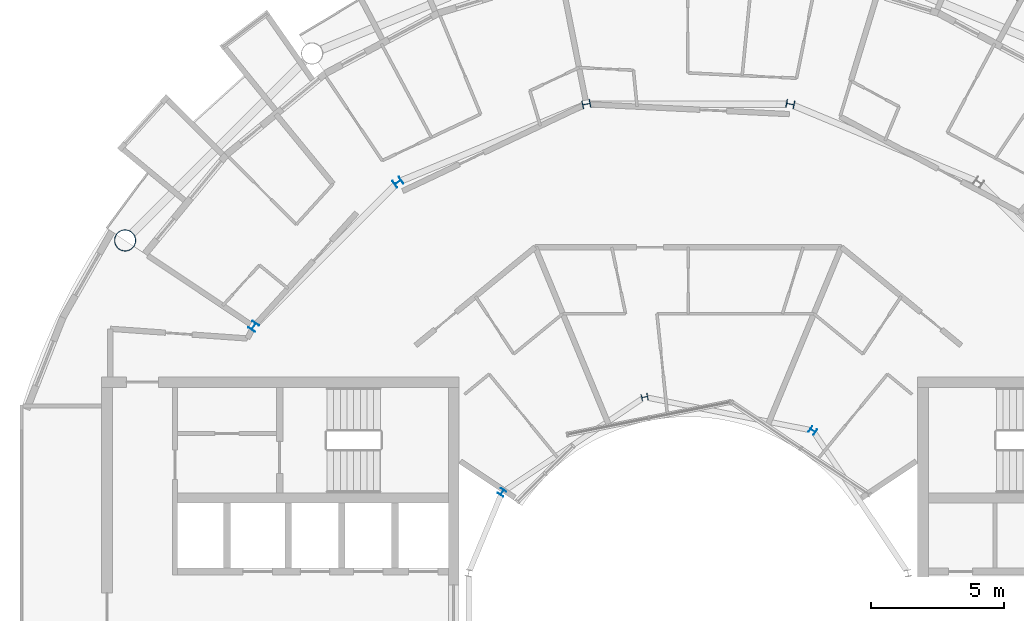
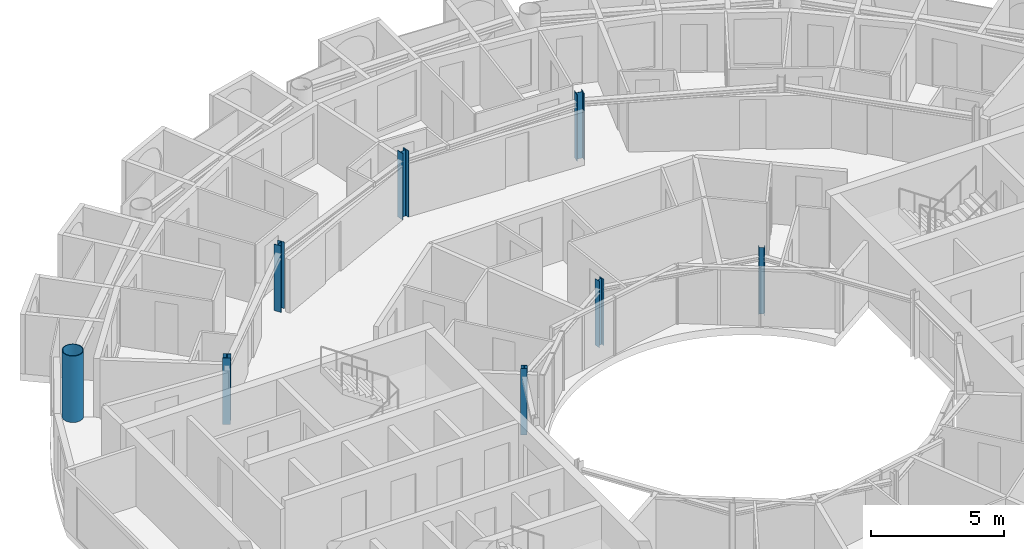
# One storey, part 4 of 27: 8 columns.
"""IFC4 building model written with IfcOpenShell, lengths in metres."""

import ifcopenshell
import ifcopenshell.guid

model = None  # the IFC model being written
_history = None  # IfcOwnerHistory: only IFC2X3 demands one
_inside = {}  # id of a spatial element -> (the spatial element, [elements in it])
_under = {}  # id of a project, library or spatial element -> (it, [spatial elements below it])
_declared = {}  # id of a project -> (the project, [libraries it declares])
_typed = {}  # id of a type object -> (the type object, [elements of that type])
_made_of = {}  # id of a material, layer set ... -> (it, [elements and type objects made of it])


def new_model(schema):
    """Start an empty IFC model of exactly this schema.

    Asked for "IFC4X3", IfcOpenShell would pick the latest addendum, in which some entities
    have other attributes; the version numbers below select the first issue.
    IFC2X3 requires an IfcOwnerHistory on every rooted entity: one is made here for all.
    """
    global model, _history
    if schema == "IFC4X3":
        model = ifcopenshell.file(schema_version=(4, 3, 0, 0))
    else:
        model = ifcopenshell.file(schema=schema)
    _inside.clear()
    _under.clear()
    _declared.clear()
    _typed.clear()
    _made_of.clear()
    _history = None
    if model.schema == "IFC2X3":
        org = make("IfcOrganization", Name="unknown")
        user = make(
            "IfcPersonAndOrganization",
            ThePerson=make("IfcPerson", FamilyName="unknown"),
            TheOrganization=org,
        )
        app = make(
            "IfcApplication",
            ApplicationDeveloper=org,
            Version="unknown",
            ApplicationFullName="unknown",
            ApplicationIdentifier="unknown",
        )
        _history = make(
            "IfcOwnerHistory",
            OwningUser=user,
            OwningApplication=app,
            ChangeAction="ADDED",
            CreationDate=0,
        )
    return model


def make(cls, **values):
    """One entity of the class cls with the attributes given. An attribute that is None is left unset."""
    return model.create_entity(
        cls, **{name: value for name, value in values.items() if value is not None}
    )


def rooted(cls, **values):
    """An entity with a GlobalId (a new one), such as an element, a storey or a relation."""
    return make(cls, GlobalId=ifcopenshell.guid.new(), OwnerHistory=_history, **values)


def si_unit(unit_type, name, prefix=None):
    """IfcSIUnit, for example si_unit("LENGTHUNIT", "METRE", prefix="MILLI")."""
    return make("IfcSIUnit", UnitType=unit_type, Prefix=prefix, Name=name)


def assignment(units):
    """IfcUnitAssignment: the units of a project."""
    return None if units is None else make("IfcUnitAssignment", Units=units)


def point(xyz):
    """IfcCartesianPoint."""
    return None if xyz is None else make("IfcCartesianPoint", Coordinates=xyz)


def direction(xyz):
    """IfcDirection."""
    return None if xyz is None else make("IfcDirection", DirectionRatios=xyz)


def frame(location, z_axis=None, x_axis=None):
    """IfcAxis2Placement3D, a coordinate frame: its origin and axes. An axis left out is left unset."""
    return make(
        "IfcAxis2Placement3D",
        Location=point(location),
        Axis=direction(z_axis),
        RefDirection=direction(x_axis),
    )


def frame_2d(location, x_axis=None):
    """IfcAxis2Placement2D, a coordinate frame in the plane: its origin and x axis."""
    return make(
        "IfcAxis2Placement2D", Location=point(location), RefDirection=direction(x_axis)
    )


def origin():
    """The frame at (0, 0, 0) with its axes left unset."""
    return frame((0.0, 0.0, 0.0))


def origin_2d():
    """The frame at (0, 0) in the plane with its x axis left unset."""
    return frame_2d((0.0, 0.0))


def place(relative_to, where):
    """IfcLocalPlacement: puts the frame where relative to a parent placement (None: the world)."""
    return make(
        "IfcLocalPlacement", PlacementRelTo=relative_to, RelativePlacement=where
    )


def context(
    kind, dimensions, precision=None, world=None, true_north=None, identifier=None
):
    """IfcGeometricRepresentationContext, for example the 3D "Model" context."""
    return make(
        "IfcGeometricRepresentationContext",
        ContextIdentifier=identifier,
        ContextType=kind,
        CoordinateSpaceDimension=dimensions,
        Precision=precision,
        WorldCoordinateSystem=world,
        TrueNorth=true_north,
    )


def subcontext(parent, identifier, kind, view, scale=None):
    """IfcGeometricRepresentationSubContext, for example "Body" below "Model"."""
    return make(
        "IfcGeometricRepresentationSubContext",
        ContextIdentifier=identifier,
        ContextType=kind,
        ParentContext=parent,
        TargetScale=scale,
        TargetView=view,
    )


def project(units=None, contexts=None):
    """IfcProject with its units and contexts."""
    return rooted(
        "IfcProject",
        Name="project",
        RepresentationContexts=contexts,
        UnitsInContext=assignment(units),
    )


def spatial(cls, under=None, at=None, **own):
    """A site, building, storey or space (cls), placed at a placement, below another one or the project."""
    s = rooted(cls, ObjectPlacement=at, **own)
    if under is not None:
        _under.setdefault(under.id(), (under, []))[1].append(s)
    return s


def profile(cls, at=None, kind="AREA", **sizes):
    """A parametric profile (cls). Its sizes go by their IFC names, for example OverallWidth=200.0."""
    return make(cls, ProfileType=kind, Position=at, **sizes)


def hollow_circle(**sizes):
    """IfcCircleHollowProfileDef."""
    return profile("IfcCircleHollowProfileDef", **sizes)


def i_section(**sizes):
    """IfcIShapeProfileDef."""
    return profile("IfcIShapeProfileDef", **sizes)


def extrude(swept, where, along, depth):
    """IfcExtrudedAreaSolid: the profile swept, set in the frame where, extruded along a direction by depth."""
    return make(
        "IfcExtrudedAreaSolid",
        SweptArea=swept,
        Position=where,
        ExtrudedDirection=direction(along),
        Depth=depth,
    )


def shape(context_of_items, identifier, shape_type, items):
    """IfcShapeRepresentation: the items that make up one representation, for example the "Body"."""
    return make(
        "IfcShapeRepresentation",
        ContextOfItems=context_of_items,
        RepresentationIdentifier=identifier,
        RepresentationType=shape_type,
        Items=items,
    )


def material(Name=None, Category=None):
    """IfcMaterial."""
    return make("IfcMaterial", Name=Name, Category=Category)


def material_profile(
    of_material, cross_section, Name=None, Category=None, Priority=None
):
    """IfcMaterialProfile: a cross section and its material."""
    return make(
        "IfcMaterialProfile",
        Name=Name,
        Material=of_material,
        Profile=cross_section,
        Priority=Priority,
        Category=Category,
    )


def profile_set(profiles, Name=None, composite=None):
    """IfcMaterialProfileSet."""
    return make(
        "IfcMaterialProfileSet",
        Name=Name,
        MaterialProfiles=profiles,
        CompositeProfile=composite,
    )


def made_of(thing, what):
    """Note that an element or type object is made of a material, layer set ...; save() writes the relation."""
    if what is not None:
        _made_of.setdefault(what.id(), (what, []))[1].append(thing)
    return thing


def type_object(cls, material=None, **own):
    """A type object (cls), such as IfcWallType, which elements share."""
    return made_of(rooted(cls, **own), material)


def element(
    cls,
    number,
    at=None,
    inside=None,
    cuts=None,
    type_object=None,
    material=None,
    context=None,
    identifier="Body",
    shape_type=None,
    held_by="IfcProductDefinitionShape",
    body=None,
    shapes=None,
    **own,
):
    """One element of the class cls, such as IfcWall. Its Tag is "e" and its number.

    at: its placement. inside: the storey or other place that contains it. cuts: it is an
    opening in that element (IfcRelVoidsElement). A single representation is given by context,
    identifier, shape_type and body (its items); several are given by shapes. held_by: the class
    of the entity that holds the representations. save() writes the other relations.
    """
    e = rooted(cls, Tag="e%d" % number, ObjectPlacement=at, **own)
    if body is not None:
        shapes = [shape(context, identifier, shape_type, body)]
    if shapes is not None:
        e.Representation = make(held_by, Representations=shapes)
    if inside is not None:
        _inside.setdefault(inside.id(), (inside, []))[1].append(e)
    if cuts is not None:
        rooted(
            "IfcRelVoidsElement", RelatingBuildingElement=cuts, RelatedOpeningElement=e
        )
    if type_object is not None:
        _typed.setdefault(type_object.id(), (type_object, []))[1].append(e)
    return made_of(e, material)


def aggregate(whole, parts):
    """IfcRelAggregates: a whole, such as a stair, and the parts it consists of."""
    return rooted("IfcRelAggregates", RelatingObject=whole, RelatedObjects=parts)


def save(model, path):
    """Write the relations noted so far, then the file.

    IfcRelAggregates (storeys below a building ...), IfcRelContainedInSpatialStructure (elements
    in a storey), IfcRelDefinesByType, IfcRelAssociatesMaterial and IfcRelDeclares: one each for
    every whole, place, type object, material and project.
    """
    for whole, parts in _under.values():
        aggregate(whole, parts)
    for where, things in _inside.values():
        rooted(
            "IfcRelContainedInSpatialStructure",
            RelatedElements=things,
            RelatingStructure=where,
        )
    for kind, things in _typed.values():
        rooted("IfcRelDefinesByType", RelatedObjects=things, RelatingType=kind)
    for what, things in _made_of.values():
        rooted("IfcRelAssociatesMaterial", RelatedObjects=things, RelatingMaterial=what)
    for by, libraries in _declared.values():
        rooted("IfcRelDeclares", RelatingContext=by, RelatedDefinitions=libraries)
    model.write(path)


model = new_model("IFC4")

# Units and contexts
model_context = context("Model", 3, precision=1e-05, world=origin(), true_north=direction((0.0, 1.0)))
body_context = subcontext(model_context, "Body", "Model", "MODEL_VIEW")
ifc_project = project(units=[si_unit("LENGTHUNIT", "METRE"), si_unit("AREAUNIT", "SQUARE_METRE"), si_unit("VOLUMEUNIT", "CUBIC_METRE"), si_unit("PLANEANGLEUNIT", "RADIAN"), si_unit("MASSUNIT", "GRAM", prefix="KILO")], contexts=[model_context])

# Site, building, storey
site_placement = place(None, origin())
site = spatial("IfcSite", under=ifc_project, at=site_placement, CompositionType="ELEMENT")
building_placement = place(site_placement, origin())
building = spatial("IfcBuilding", under=site, at=building_placement, Name="Maasbend Ring Residences", CompositionType="ELEMENT")
storey_placement = place(building_placement, frame((0.0, 0.0, 240.14990234375)))
storey = spatial("IfcBuildingStorey", under=building, at=storey_placement, Name="L69", CompositionType="ELEMENT", Elevation=240.14990234375)

# Columns
ifc_material_1 = material(Name="Composite concrete-filled steel tube S460NH / C80/95", Category="concrete")
ifc_material_profile_1 = material_profile(ifc_material_1, hollow_circle(Radius=0.406494140625, WallThickness=0.030029296875, at=origin_2d()), Name="Composite tube column CHS 813x30")
ifc_profile_set_1 = profile_set([ifc_material_profile_1], Name="Composite concrete-filled steel tube S460NH / C80/95")
column_type_1 = type_object("IfcColumnType", Name="Composite tube column CHS 813x30", PredefinedType="COLUMN", material=ifc_profile_set_1)
column_placement = place(storey_placement, frame((-21.119384765625, 14.111572265625, 0.0), z_axis=(0.0, 0.0, 1.0), x_axis=(1.0, 0.0, 0.0)))
element("IfcColumn", 1, at=column_placement, inside=storey, type_object=column_type_1, Name="Outer column R7", PredefinedType="COLUMN", context=body_context, shape_type="SweptSolid", body=[
    extrude(hollow_circle(Radius=0.406494140625, WallThickness=0.030029296875, at=origin_2d()), origin(), (0.0, 0.0, 1.0), 3.050048828125),
])
ifc_material_2 = material(Name="Steel S355J2", Category="steel")
ifc_material_profile_2 = material_profile(ifc_material_2, i_section(OverallWidth=0.239990234375, OverallDepth=0.22998046875, WebThickness=0.007568359375, FlangeThickness=0.011962890625, FilletRadius=0.02099609375, at=origin_2d()), Name="HEA 240")
ifc_profile_set_2 = profile_set([ifc_material_profile_2], Name="Steel S355J2")
column_type_2 = type_object("IfcColumnType", Name="Steel column HEA 240", PredefinedType="COLUMN", material=ifc_profile_set_2)
for number, where, z_axis, x_axis, name in (
    (2, (4.666748046875, 6.984375, 0.0), (0.0, 0.0, 1.0), (0.55557023302, 0.831469612303, 0.0), "Well ring column R3"),
    (3, (-1.638916015625, 8.238525390625, 0.0), (0.0, 0.0, 1.0), (-0.195090322016, 0.980785280403, 0.0), "Well ring column R5"),
    (4, (-6.984375, 4.666748046875, 0.0), (0.0, 0.0, 1.0), (-0.831469612303, 0.55557023302, 0.0), "Well ring column R7"),
):
    element("IfcColumn", number, at=place(storey_placement, frame(where, z_axis=z_axis, x_axis=x_axis)), inside=storey, type_object=column_type_2, Name=name, PredefinedType="COLUMN", context=body_context, shape_type="SweptSolid", body=[
        extrude(i_section(OverallWidth=0.239990234375, OverallDepth=0.22998046875, WebThickness=0.007568359375, FlangeThickness=0.011962890625, FilletRadius=0.02099609375, at=origin_2d()), origin(), (0.0, 0.0, 1.0), 3.050048828125),
    ])
ifc_material_3 = material(Name="Steel S355J2", Category="steel")
ifc_material_profile_3 = material_profile(ifc_material_3, i_section(OverallWidth=0.300048828125, OverallDepth=0.300048828125, WebThickness=0.010986328125, FlangeThickness=0.01904296875, FilletRadius=0.027099609375, at=origin_2d()), Name="HEB 300")
ifc_profile_set_3 = profile_set([ifc_material_profile_3], Name="Steel S355J2")
column_type_3 = type_object("IfcColumnType", Name="Steel column HEB 300", PredefinedType="COLUMN", material=ifc_profile_set_3)
for number, where, z_axis, x_axis, name in (
    (5, (3.82373046875, 19.223388671875, 0.0), (0.0, 0.0, 1.0), (0.195090322016, 0.980785280403, 0.0), "Corridor ring column R4"),
    (6, (-3.82373046875, 19.223388671875, 0.0), (0.0, 0.0, 1.0), (-0.195090322016, 0.980785280403, 0.0), "Corridor ring column R5"),
    (7, (-10.88916015625, 16.296875, 0.0), (0.0, 0.0, 1.0), (-0.55557023302, 0.831469612303, 0.0), "Corridor ring column R6"),
    (8, (-16.296875, 10.88916015625, 0.0), (0.0, 0.0, 1.0), (-0.831469612303, 0.55557023302, 0.0), "Corridor ring column R7"),
):
    element("IfcColumn", number, at=place(storey_placement, frame(where, z_axis=z_axis, x_axis=x_axis)), inside=storey, type_object=column_type_3, Name=name, PredefinedType="COLUMN", context=body_context, shape_type="SweptSolid", body=[
        extrude(i_section(OverallWidth=0.300048828125, OverallDepth=0.300048828125, WebThickness=0.010986328125, FlangeThickness=0.01904296875, FilletRadius=0.027099609375, at=origin_2d()), origin(), (0.0, 0.0, 1.0), 3.050048828125),
    ])

save(model, "model.ifc")
